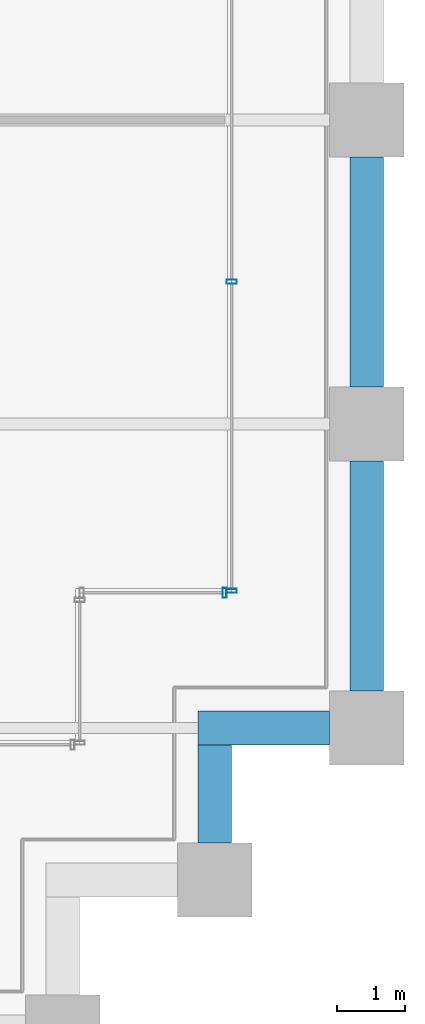
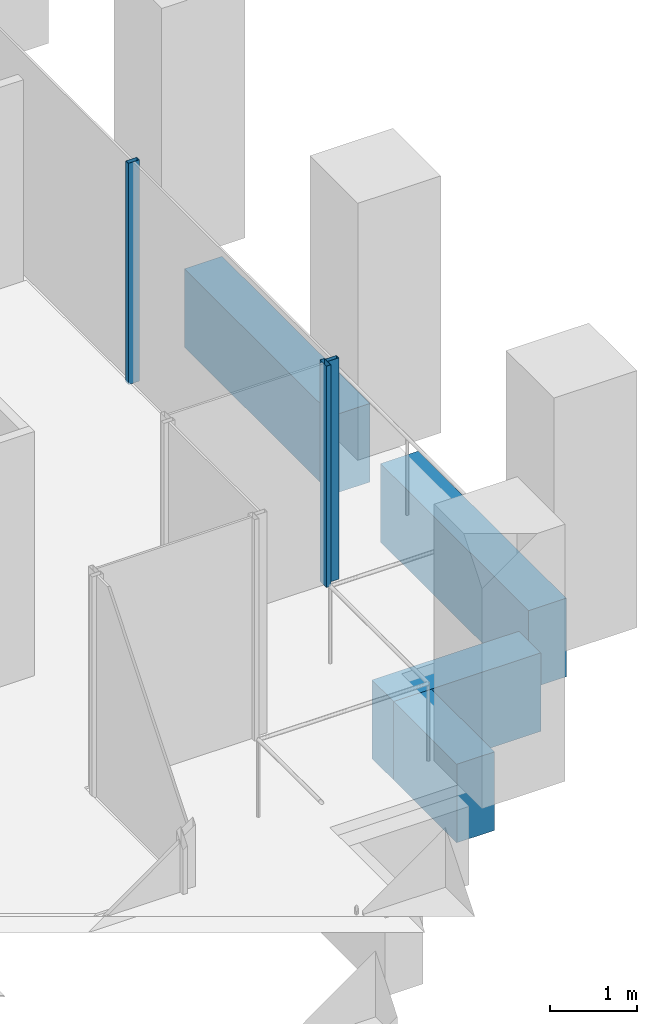
# One storey, part 46 of 56: 4 beams, 3 members, 2 elements without a shape of their own.
"""IFC4 building model written with IfcOpenShell, lengths in metres."""

from ifc_helpers import new_model, si_unit, direction, frame, origin, origin_2d, place, context, subcontext, project, spatial, rectangle, hollow_rectangle, extrude, material, material_profile, profile_set, type_object, element, aggregate, save


model = new_model("IFC4")

# Units and contexts
model_context = context("Model", 3, precision=1e-05, world=origin(), true_north=direction((0.0, 1.0)))
body_context = subcontext(model_context, "Body", "Model", "MODEL_VIEW")
ifc_project = project(units=[si_unit("LENGTHUNIT", "METRE"), si_unit("AREAUNIT", "SQUARE_METRE"), si_unit("VOLUMEUNIT", "CUBIC_METRE"), si_unit("PLANEANGLEUNIT", "RADIAN"), si_unit("MASSUNIT", "GRAM", prefix="KILO")], contexts=[model_context])

# Site, building, storey
site_placement = place(None, origin())
site = spatial("IfcSite", under=ifc_project, at=site_placement, CompositionType="ELEMENT")
building_placement = place(site_placement, origin())
building = spatial("IfcBuilding", under=site, at=building_placement, Name="Altepetl Exchange Towers", CompositionType="ELEMENT")
storey_placement = place(building_placement, frame((0.0, 0.0, 79.800048828125)))
storey = spatial("IfcBuildingStorey", under=building, at=storey_placement, Name="L19", CompositionType="ELEMENT", Elevation=79.800048828125)

# Curtain wall, member
ifc_material_1 = material(Name="Aluminium 6063-T6 glazing", Category="aluminium")
curtain_wall_type = type_object("IfcCurtainWallType", Name="Loggia glazing system", PredefinedType="NOTDEFINED", material=ifc_material_1)
curtain_wall_1_placement = place(storey_placement, origin())
curtain_wall_1 = element("IfcCurtainWall", 1, at=curtain_wall_1_placement, inside=storey, type_object=curtain_wall_type, Name="CW1 run", PredefinedType="NOTDEFINED")
ifc_material_2 = material(Name="Aluminium 6063-T6", Category="aluminium")
ifc_material_profile_1 = material_profile(ifc_material_2, hollow_rectangle(XDim=0.06005859375, YDim=0.14990234375, WallThickness=0.0029296875, at=origin_2d()), Name="Mullion 60x150 aluminium")
ifc_profile_set_1 = profile_set([ifc_material_profile_1], Name="Aluminium 6063-T6")
member_type = type_object("IfcMemberType", Name="Mullion 60x150 aluminium", PredefinedType="MULLION", material=ifc_profile_set_1)
member_1_placement = place(storey_placement, frame((123.89501953125, 33.5, 0.0)))
member_1 = element("IfcMember", 2, at=member_1_placement, type_object=member_type, Name="MU1 mullion", PredefinedType="MULLION", context=body_context, shape_type="SweptSolid", body=[
    extrude(hollow_rectangle(XDim=0.06005859375, YDim=0.14990234375, WallThickness=0.0029296875, at=origin_2d()), origin(), (0.0, 0.0, 1.0), 3.099853515625),
])
aggregate(curtain_wall_1, [member_1])

# Curtain wall, members
curtain_wall_2_placement = place(storey_placement, origin())
curtain_wall_2 = element("IfcCurtainWall", 3, at=curtain_wall_2_placement, inside=storey, type_object=curtain_wall_type, Name="CW1 run", PredefinedType="NOTDEFINED")
member_2_placement = place(storey_placement, frame((124.0, 33.530029296875, 0.0), z_axis=(0.0, 0.0, 1.0), x_axis=(0.0, 1.0, 0.0)))
member_2 = element("IfcMember", 4, at=member_2_placement, type_object=member_type, Name="MU1 mullion", PredefinedType="MULLION", context=body_context, shape_type="SweptSolid", body=[
    extrude(hollow_rectangle(XDim=0.06005859375, YDim=0.14990234375, WallThickness=0.0029296875, at=origin_2d()), origin(), (0.0, 0.0, 1.0), 3.099853515625),
])
member_3_placement = place(storey_placement, frame((124.0, 38.106201171875, 0.0), z_axis=(0.0, 0.0, 1.0), x_axis=(0.0, 1.0, 0.0)))
member_3 = element("IfcMember", 5, at=member_3_placement, type_object=member_type, Name="MU1 mullion", PredefinedType="MULLION", context=body_context, shape_type="SweptSolid", body=[
    extrude(hollow_rectangle(XDim=0.06005859375, YDim=0.14990234375, WallThickness=0.0029296875, at=origin_2d()), origin(), (0.0, 0.0, 1.0), 3.099853515625),
])
aggregate(curtain_wall_2, [member_2, member_3])

# Beams
ifc_material_3 = material(Name="Concrete C50/60 precast with cantera blanca facing", Category="concrete")
ifc_material_profile_2 = material_profile(ifc_material_3, rectangle(XDim=0.5, YDim=1.10009765625, at=origin_2d()), Name="500 x 1100")
ifc_profile_set_2 = profile_set([ifc_material_profile_2], Name="Concrete C50/60 precast with cantera blanca facing")
beam_type = type_object("IfcBeamType", Name="Spandrel beam 500x1100 cantera blanca", PredefinedType="SPANDREL", material=ifc_profile_set_2)
beam_1_placement = place(storey_placement, frame((123.75, 29.800048828125, -0.699951171875), z_axis=(0.0, 1.0, 0.0), x_axis=(-1.0, 0.0, 0.0)))
element("IfcBeam", 6, at=beam_1_placement, inside=storey, type_object=beam_type, Name="sp:B:L19:007", PredefinedType="SPANDREL", context=body_context, shape_type="SweptSolid", body=[
    extrude(rectangle(XDim=0.5, YDim=1.10009765625, at=origin_2d()), origin(), (0.0, 0.0, 1.0), 1.449951171875),
])
beam_2_placement = place(storey_placement, frame((123.5, 31.5, -0.699951171875), z_axis=(1.0, 0.0, 0.0), x_axis=(0.0, 1.0, 0.0)))
element("IfcBeam", 7, at=beam_2_placement, inside=storey, type_object=beam_type, Name="sp:B:L19:008", PredefinedType="SPANDREL", context=body_context, shape_type="SweptSolid", body=[
    extrude(rectangle(XDim=0.5, YDim=1.10009765625, at=origin_2d()), origin(), (0.0, 0.0, 1.0), 1.949951171875),
])
for number, where, z_axis, x_axis, name in (
    (8, (126.0, 32.050048828125, -0.699951171875), (0.0, 1.0, 0.0), (-1.0, 0.0, 0.0), "sp:B:L19:009"),
    (9, (126.0, 36.550048828125, -0.699951171875), (0.0, 1.0, 0.0), (-1.0, 0.0, 0.0), "sp:B:L19:010"),
):
    element("IfcBeam", number, at=place(storey_placement, frame(where, z_axis=z_axis, x_axis=x_axis)), inside=storey, type_object=beam_type, Name=name, PredefinedType="SPANDREL", context=body_context, shape_type="SweptSolid", body=[
        extrude(rectangle(XDim=0.5, YDim=1.10009765625, at=origin_2d()), origin(), (0.0, 0.0, 1.0), 3.39990234375),
    ])

save(model, "model.ifc")
